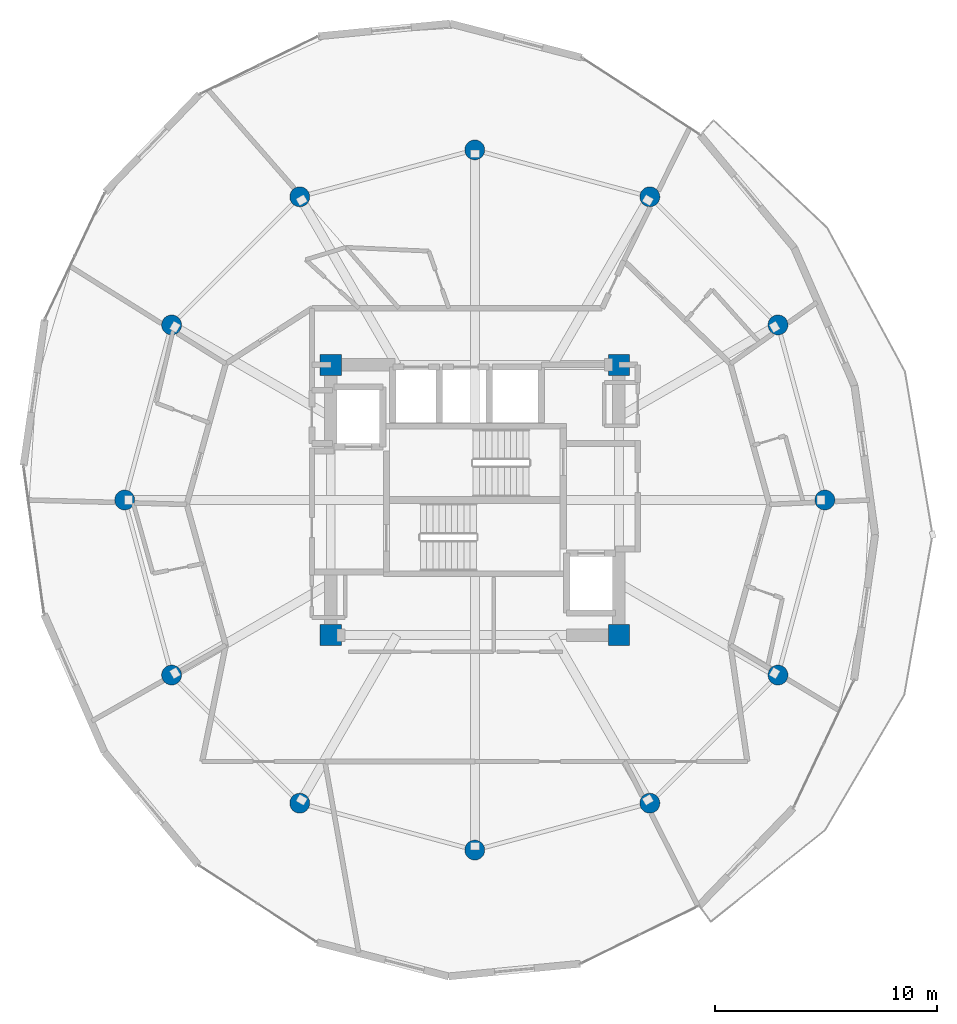
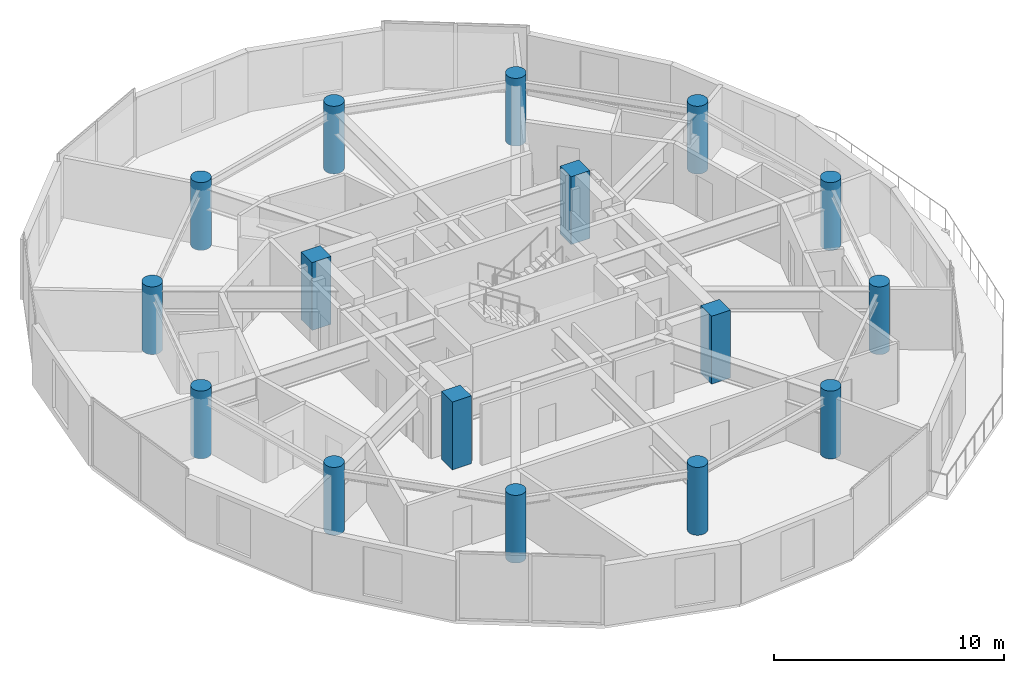
# One storey, part 1 of 22: 16 columns.
"""IFC4 building model written with IfcOpenShell, lengths in metres."""

import ifcopenshell
import ifcopenshell.guid

model = None  # the IFC model being written
_history = None  # IfcOwnerHistory: only IFC2X3 demands one
_inside = {}  # id of a spatial element -> (the spatial element, [elements in it])
_under = {}  # id of a project, library or spatial element -> (it, [spatial elements below it])
_declared = {}  # id of a project -> (the project, [libraries it declares])
_typed = {}  # id of a type object -> (the type object, [elements of that type])
_made_of = {}  # id of a material, layer set ... -> (it, [elements and type objects made of it])


def new_model(schema):
    """Start an empty IFC model of exactly this schema.

    Asked for "IFC4X3", IfcOpenShell would pick the latest addendum, in which some entities
    have other attributes; the version numbers below select the first issue.
    IFC2X3 requires an IfcOwnerHistory on every rooted entity: one is made here for all.
    """
    global model, _history
    if schema == "IFC4X3":
        model = ifcopenshell.file(schema_version=(4, 3, 0, 0))
    else:
        model = ifcopenshell.file(schema=schema)
    _inside.clear()
    _under.clear()
    _declared.clear()
    _typed.clear()
    _made_of.clear()
    _history = None
    if model.schema == "IFC2X3":
        org = make("IfcOrganization", Name="unknown")
        user = make(
            "IfcPersonAndOrganization",
            ThePerson=make("IfcPerson", FamilyName="unknown"),
            TheOrganization=org,
        )
        app = make(
            "IfcApplication",
            ApplicationDeveloper=org,
            Version="unknown",
            ApplicationFullName="unknown",
            ApplicationIdentifier="unknown",
        )
        _history = make(
            "IfcOwnerHistory",
            OwningUser=user,
            OwningApplication=app,
            ChangeAction="ADDED",
            CreationDate=0,
        )
    return model


def make(cls, **values):
    """One entity of the class cls with the attributes given. An attribute that is None is left unset."""
    return model.create_entity(
        cls, **{name: value for name, value in values.items() if value is not None}
    )


def rooted(cls, **values):
    """An entity with a GlobalId (a new one), such as an element, a storey or a relation."""
    return make(cls, GlobalId=ifcopenshell.guid.new(), OwnerHistory=_history, **values)


def si_unit(unit_type, name, prefix=None):
    """IfcSIUnit, for example si_unit("LENGTHUNIT", "METRE", prefix="MILLI")."""
    return make("IfcSIUnit", UnitType=unit_type, Prefix=prefix, Name=name)


def assignment(units):
    """IfcUnitAssignment: the units of a project."""
    return None if units is None else make("IfcUnitAssignment", Units=units)


def point(xyz):
    """IfcCartesianPoint."""
    return None if xyz is None else make("IfcCartesianPoint", Coordinates=xyz)


def direction(xyz):
    """IfcDirection."""
    return None if xyz is None else make("IfcDirection", DirectionRatios=xyz)


def frame(location, z_axis=None, x_axis=None):
    """IfcAxis2Placement3D, a coordinate frame: its origin and axes. An axis left out is left unset."""
    return make(
        "IfcAxis2Placement3D",
        Location=point(location),
        Axis=direction(z_axis),
        RefDirection=direction(x_axis),
    )


def frame_2d(location, x_axis=None):
    """IfcAxis2Placement2D, a coordinate frame in the plane: its origin and x axis."""
    return make(
        "IfcAxis2Placement2D", Location=point(location), RefDirection=direction(x_axis)
    )


def origin():
    """The frame at (0, 0, 0) with its axes left unset."""
    return frame((0.0, 0.0, 0.0))


def origin_2d():
    """The frame at (0, 0) in the plane with its x axis left unset."""
    return frame_2d((0.0, 0.0))


def place(relative_to, where):
    """IfcLocalPlacement: puts the frame where relative to a parent placement (None: the world)."""
    return make(
        "IfcLocalPlacement", PlacementRelTo=relative_to, RelativePlacement=where
    )


def context(
    kind, dimensions, precision=None, world=None, true_north=None, identifier=None
):
    """IfcGeometricRepresentationContext, for example the 3D "Model" context."""
    return make(
        "IfcGeometricRepresentationContext",
        ContextIdentifier=identifier,
        ContextType=kind,
        CoordinateSpaceDimension=dimensions,
        Precision=precision,
        WorldCoordinateSystem=world,
        TrueNorth=true_north,
    )


def subcontext(parent, identifier, kind, view, scale=None):
    """IfcGeometricRepresentationSubContext, for example "Body" below "Model"."""
    return make(
        "IfcGeometricRepresentationSubContext",
        ContextIdentifier=identifier,
        ContextType=kind,
        ParentContext=parent,
        TargetScale=scale,
        TargetView=view,
    )


def project(units=None, contexts=None):
    """IfcProject with its units and contexts."""
    return rooted(
        "IfcProject",
        Name="project",
        RepresentationContexts=contexts,
        UnitsInContext=assignment(units),
    )


def spatial(cls, under=None, at=None, **own):
    """A site, building, storey or space (cls), placed at a placement, below another one or the project."""
    s = rooted(cls, ObjectPlacement=at, **own)
    if under is not None:
        _under.setdefault(under.id(), (under, []))[1].append(s)
    return s


def profile(cls, at=None, kind="AREA", **sizes):
    """A parametric profile (cls). Its sizes go by their IFC names, for example OverallWidth=200.0."""
    return make(cls, ProfileType=kind, Position=at, **sizes)


def rectangle(**sizes):
    """IfcRectangleProfileDef."""
    return profile("IfcRectangleProfileDef", **sizes)


def circle(**sizes):
    """IfcCircleProfileDef."""
    return profile("IfcCircleProfileDef", **sizes)


def extrude(swept, where, along, depth):
    """IfcExtrudedAreaSolid: the profile swept, set in the frame where, extruded along a direction by depth."""
    return make(
        "IfcExtrudedAreaSolid",
        SweptArea=swept,
        Position=where,
        ExtrudedDirection=direction(along),
        Depth=depth,
    )


def shape(context_of_items, identifier, shape_type, items):
    """IfcShapeRepresentation: the items that make up one representation, for example the "Body"."""
    return make(
        "IfcShapeRepresentation",
        ContextOfItems=context_of_items,
        RepresentationIdentifier=identifier,
        RepresentationType=shape_type,
        Items=items,
    )


def material(Name=None, Category=None):
    """IfcMaterial."""
    return make("IfcMaterial", Name=Name, Category=Category)


def material_profile(
    of_material, cross_section, Name=None, Category=None, Priority=None
):
    """IfcMaterialProfile: a cross section and its material."""
    return make(
        "IfcMaterialProfile",
        Name=Name,
        Material=of_material,
        Profile=cross_section,
        Priority=Priority,
        Category=Category,
    )


def profile_set(profiles, Name=None, composite=None):
    """IfcMaterialProfileSet."""
    return make(
        "IfcMaterialProfileSet",
        Name=Name,
        MaterialProfiles=profiles,
        CompositeProfile=composite,
    )


def made_of(thing, what):
    """Note that an element or type object is made of a material, layer set ...; save() writes the relation."""
    if what is not None:
        _made_of.setdefault(what.id(), (what, []))[1].append(thing)
    return thing


def type_object(cls, material=None, **own):
    """A type object (cls), such as IfcWallType, which elements share."""
    return made_of(rooted(cls, **own), material)


def element(
    cls,
    number,
    at=None,
    inside=None,
    cuts=None,
    type_object=None,
    material=None,
    context=None,
    identifier="Body",
    shape_type=None,
    held_by="IfcProductDefinitionShape",
    body=None,
    shapes=None,
    **own,
):
    """One element of the class cls, such as IfcWall. Its Tag is "e" and its number.

    at: its placement. inside: the storey or other place that contains it. cuts: it is an
    opening in that element (IfcRelVoidsElement). A single representation is given by context,
    identifier, shape_type and body (its items); several are given by shapes. held_by: the class
    of the entity that holds the representations. save() writes the other relations.
    """
    e = rooted(cls, Tag="e%d" % number, ObjectPlacement=at, **own)
    if body is not None:
        shapes = [shape(context, identifier, shape_type, body)]
    if shapes is not None:
        e.Representation = make(held_by, Representations=shapes)
    if inside is not None:
        _inside.setdefault(inside.id(), (inside, []))[1].append(e)
    if cuts is not None:
        rooted(
            "IfcRelVoidsElement", RelatingBuildingElement=cuts, RelatedOpeningElement=e
        )
    if type_object is not None:
        _typed.setdefault(type_object.id(), (type_object, []))[1].append(e)
    return made_of(e, material)


def aggregate(whole, parts):
    """IfcRelAggregates: a whole, such as a stair, and the parts it consists of."""
    return rooted("IfcRelAggregates", RelatingObject=whole, RelatedObjects=parts)


def save(model, path):
    """Write the relations noted so far, then the file.

    IfcRelAggregates (storeys below a building ...), IfcRelContainedInSpatialStructure (elements
    in a storey), IfcRelDefinesByType, IfcRelAssociatesMaterial and IfcRelDeclares: one each for
    every whole, place, type object, material and project.
    """
    for whole, parts in _under.values():
        aggregate(whole, parts)
    for where, things in _inside.values():
        rooted(
            "IfcRelContainedInSpatialStructure",
            RelatedElements=things,
            RelatingStructure=where,
        )
    for kind, things in _typed.values():
        rooted("IfcRelDefinesByType", RelatedObjects=things, RelatingType=kind)
    for what, things in _made_of.values():
        rooted("IfcRelAssociatesMaterial", RelatedObjects=things, RelatingMaterial=what)
    for by, libraries in _declared.values():
        rooted("IfcRelDeclares", RelatingContext=by, RelatedDefinitions=libraries)
    model.write(path)


model = new_model("IFC4")

# Units and contexts
model_context = context("Model", 3, precision=1e-05, world=origin(), true_north=direction((0.0, 1.0)))
body_context = subcontext(model_context, "Body", "Model", "MODEL_VIEW")
ifc_project = project(units=[si_unit("LENGTHUNIT", "METRE"), si_unit("AREAUNIT", "SQUARE_METRE"), si_unit("VOLUMEUNIT", "CUBIC_METRE"), si_unit("PLANEANGLEUNIT", "RADIAN"), si_unit("MASSUNIT", "GRAM", prefix="KILO")], contexts=[model_context])

# Site, building, storey
site_placement = place(None, origin())
site = spatial("IfcSite", under=ifc_project, at=site_placement, CompositionType="ELEMENT")
building_placement = place(site_placement, origin())
building = spatial("IfcBuilding", under=site, at=building_placement, Name="Solvirekh Grand Hotel", CompositionType="ELEMENT")
storey_placement = place(building_placement, frame((0.0, 0.0, 230.800048828125)))
storey = spatial("IfcBuildingStorey", under=building, at=storey_placement, Name="L60", CompositionType="ELEMENT", Elevation=230.800048828125)

# Columns
ifc_material = material(Name="Concrete C50/60", Category="concrete")
ifc_material_profile_1 = material_profile(ifc_material, rectangle(XDim=0.949951171875, YDim=0.949951171875, at=origin_2d()), Name="RC 950X950")
ifc_profile_set_1 = profile_set([ifc_material_profile_1], Name="Concrete C50/60")
column_type_1 = type_object("IfcColumnType", Name="Col_Core_950", PredefinedType="COLUMN", material=ifc_profile_set_1)
for number, where, z_axis, x_axis, name in (
    (1, (-6.5, -6.10009765625, 0.0), (0.0, 0.0, 1.0), (1.0, 0.0, 0.0), "L60 core corner column CC1"),
    (2, (6.5, -6.10009765625, 0.0), (0.0, 0.0, 1.0), (1.0, 0.0, 0.0), "L60 core corner column CC2"),
    (3, (6.5, 6.10009765625, 0.0), (0.0, 0.0, 1.0), (1.0, 0.0, 0.0), "L60 core corner column CC3"),
    (4, (-6.5, 6.10009765625, 0.0), (0.0, 0.0, 1.0), (1.0, 0.0, 0.0), "L60 core corner column CC4"),
):
    element("IfcColumn", number, at=place(storey_placement, frame(where, z_axis=z_axis, x_axis=x_axis)), inside=storey, type_object=column_type_1, Name=name, PredefinedType="COLUMN", context=body_context, shape_type="SweptSolid", body=[
        extrude(rectangle(XDim=0.949951171875, YDim=0.949951171875, at=origin_2d()), origin(), (0.0, 0.0, 1.0), 3.599853515625),
    ])
ifc_material_profile_2 = material_profile(ifc_material, circle(Radius=0.449951171875, at=origin_2d()), Name="RC CIRC D900")
ifc_profile_set_2 = profile_set([ifc_material_profile_2], Name="Concrete C50/60")
column_type_2 = type_object("IfcColumnType", Name="Col_Z3_D900", PredefinedType="COLUMN", material=ifc_profile_set_2)
for number, where, z_axis, x_axis, name in (
    (5, (15.800048828125, 0.0, 0.0), (0.0, 0.0, 1.0), (1.0, 0.0, 0.0), "L60 perimeter column P01"),
    (6, (13.68310546875, 7.89990234375, 0.0), (0.0, 0.0, 1.0), (1.0, 0.0, 0.0), "L60 perimeter column P02"),
    (7, (7.89990234375, 13.68310546875, 0.0), (0.0, 0.0, 1.0), (1.0, 0.0, 0.0), "L60 perimeter column P03"),
    (8, (0.0, 15.800048828125, 0.0), (0.0, 0.0, 1.0), (1.0, 0.0, 0.0), "L60 perimeter column P04"),
    (9, (-7.89990234375, 13.68310546875, 0.0), (0.0, 0.0, 1.0), (1.0, 0.0, 0.0), "L60 perimeter column P05"),
    (10, (-13.68310546875, 7.89990234375, 0.0), (0.0, 0.0, 1.0), (1.0, 0.0, 0.0), "L60 perimeter column P06"),
    (11, (-15.800048828125, 0.0, 0.0), (0.0, 0.0, 1.0), (1.0, 0.0, 0.0), "L60 perimeter column P07"),
    (12, (-13.68310546875, -7.89990234375, 0.0), (0.0, 0.0, 1.0), (1.0, 0.0, 0.0), "L60 perimeter column P08"),
    (13, (-7.89990234375, -13.68310546875, 0.0), (0.0, 0.0, 1.0), (1.0, 0.0, 0.0), "L60 perimeter column P09"),
    (14, (0.0, -15.800048828125, 0.0), (0.0, 0.0, 1.0), (1.0, 0.0, 0.0), "L60 perimeter column P10"),
    (15, (7.89990234375, -13.68310546875, 0.0), (0.0, 0.0, 1.0), (1.0, 0.0, 0.0), "L60 perimeter column P11"),
    (16, (13.68310546875, -7.89990234375, 0.0), (0.0, 0.0, 1.0), (1.0, 0.0, 0.0), "L60 perimeter column P12"),
):
    element("IfcColumn", number, at=place(storey_placement, frame(where, z_axis=z_axis, x_axis=x_axis)), inside=storey, type_object=column_type_2, Name=name, PredefinedType="COLUMN", context=body_context, shape_type="SweptSolid", body=[
        extrude(circle(Radius=0.449951171875, at=origin_2d()), origin(), (0.0, 0.0, 1.0), 3.599853515625),
    ])

save(model, "model.ifc")
